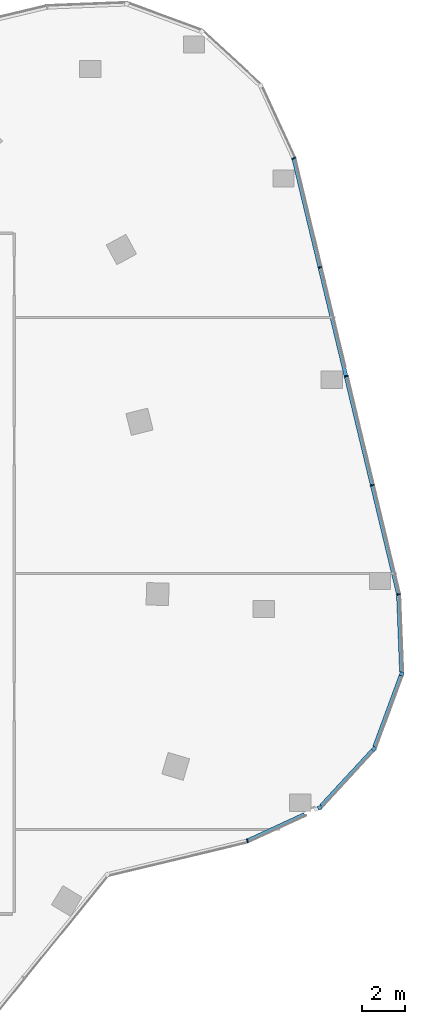
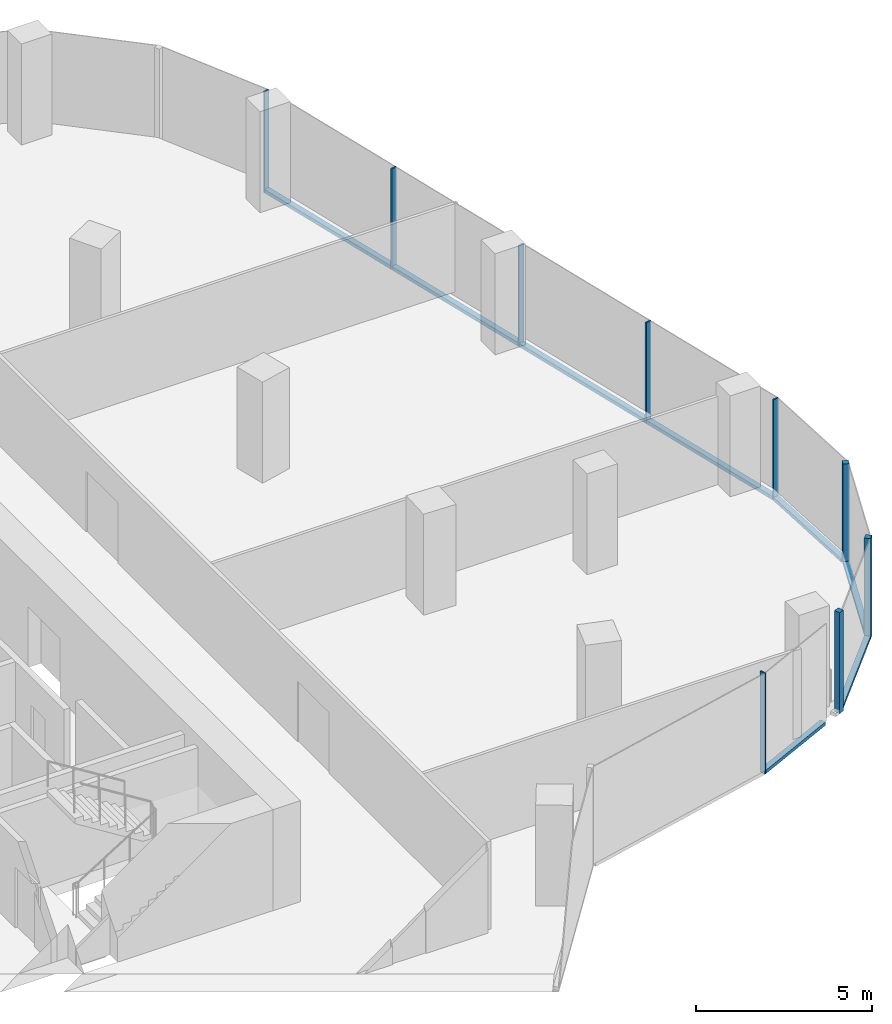
# One storey, part 9 of 23: 14 members, 6 elements without a shape of their own.
"""IFC4 building model written with IfcOpenShell, lengths in metres."""

import ifcopenshell
import ifcopenshell.guid

model = None  # the IFC model being written
_history = None  # IfcOwnerHistory: only IFC2X3 demands one
_inside = {}  # id of a spatial element -> (the spatial element, [elements in it])
_under = {}  # id of a project, library or spatial element -> (it, [spatial elements below it])
_declared = {}  # id of a project -> (the project, [libraries it declares])
_typed = {}  # id of a type object -> (the type object, [elements of that type])
_made_of = {}  # id of a material, layer set ... -> (it, [elements and type objects made of it])


def new_model(schema):
    """Start an empty IFC model of exactly this schema.

    Asked for "IFC4X3", IfcOpenShell would pick the latest addendum, in which some entities
    have other attributes; the version numbers below select the first issue.
    IFC2X3 requires an IfcOwnerHistory on every rooted entity: one is made here for all.
    """
    global model, _history
    if schema == "IFC4X3":
        model = ifcopenshell.file(schema_version=(4, 3, 0, 0))
    else:
        model = ifcopenshell.file(schema=schema)
    _inside.clear()
    _under.clear()
    _declared.clear()
    _typed.clear()
    _made_of.clear()
    _history = None
    if model.schema == "IFC2X3":
        org = make("IfcOrganization", Name="unknown")
        user = make(
            "IfcPersonAndOrganization",
            ThePerson=make("IfcPerson", FamilyName="unknown"),
            TheOrganization=org,
        )
        app = make(
            "IfcApplication",
            ApplicationDeveloper=org,
            Version="unknown",
            ApplicationFullName="unknown",
            ApplicationIdentifier="unknown",
        )
        _history = make(
            "IfcOwnerHistory",
            OwningUser=user,
            OwningApplication=app,
            ChangeAction="ADDED",
            CreationDate=0,
        )
    return model


def make(cls, **values):
    """One entity of the class cls with the attributes given. An attribute that is None is left unset."""
    return model.create_entity(
        cls, **{name: value for name, value in values.items() if value is not None}
    )


def rooted(cls, **values):
    """An entity with a GlobalId (a new one), such as an element, a storey or a relation."""
    return make(cls, GlobalId=ifcopenshell.guid.new(), OwnerHistory=_history, **values)


def si_unit(unit_type, name, prefix=None):
    """IfcSIUnit, for example si_unit("LENGTHUNIT", "METRE", prefix="MILLI")."""
    return make("IfcSIUnit", UnitType=unit_type, Prefix=prefix, Name=name)


def assignment(units):
    """IfcUnitAssignment: the units of a project."""
    return None if units is None else make("IfcUnitAssignment", Units=units)


def point(xyz):
    """IfcCartesianPoint."""
    return None if xyz is None else make("IfcCartesianPoint", Coordinates=xyz)


def direction(xyz):
    """IfcDirection."""
    return None if xyz is None else make("IfcDirection", DirectionRatios=xyz)


def frame(location, z_axis=None, x_axis=None):
    """IfcAxis2Placement3D, a coordinate frame: its origin and axes. An axis left out is left unset."""
    return make(
        "IfcAxis2Placement3D",
        Location=point(location),
        Axis=direction(z_axis),
        RefDirection=direction(x_axis),
    )


def frame_2d(location, x_axis=None):
    """IfcAxis2Placement2D, a coordinate frame in the plane: its origin and x axis."""
    return make(
        "IfcAxis2Placement2D", Location=point(location), RefDirection=direction(x_axis)
    )


def origin():
    """The frame at (0, 0, 0) with its axes left unset."""
    return frame((0.0, 0.0, 0.0))


def origin_2d():
    """The frame at (0, 0) in the plane with its x axis left unset."""
    return frame_2d((0.0, 0.0))


def place(relative_to, where):
    """IfcLocalPlacement: puts the frame where relative to a parent placement (None: the world)."""
    return make(
        "IfcLocalPlacement", PlacementRelTo=relative_to, RelativePlacement=where
    )


def context(
    kind, dimensions, precision=None, world=None, true_north=None, identifier=None
):
    """IfcGeometricRepresentationContext, for example the 3D "Model" context."""
    return make(
        "IfcGeometricRepresentationContext",
        ContextIdentifier=identifier,
        ContextType=kind,
        CoordinateSpaceDimension=dimensions,
        Precision=precision,
        WorldCoordinateSystem=world,
        TrueNorth=true_north,
    )


def subcontext(parent, identifier, kind, view, scale=None):
    """IfcGeometricRepresentationSubContext, for example "Body" below "Model"."""
    return make(
        "IfcGeometricRepresentationSubContext",
        ContextIdentifier=identifier,
        ContextType=kind,
        ParentContext=parent,
        TargetScale=scale,
        TargetView=view,
    )


def project(units=None, contexts=None):
    """IfcProject with its units and contexts."""
    return rooted(
        "IfcProject",
        Name="project",
        RepresentationContexts=contexts,
        UnitsInContext=assignment(units),
    )


def spatial(cls, under=None, at=None, **own):
    """A site, building, storey or space (cls), placed at a placement, below another one or the project."""
    s = rooted(cls, ObjectPlacement=at, **own)
    if under is not None:
        _under.setdefault(under.id(), (under, []))[1].append(s)
    return s


def profile(cls, at=None, kind="AREA", **sizes):
    """A parametric profile (cls). Its sizes go by their IFC names, for example OverallWidth=200.0."""
    return make(cls, ProfileType=kind, Position=at, **sizes)


def rectangle(**sizes):
    """IfcRectangleProfileDef."""
    return profile("IfcRectangleProfileDef", **sizes)


def extrude(swept, where, along, depth):
    """IfcExtrudedAreaSolid: the profile swept, set in the frame where, extruded along a direction by depth."""
    return make(
        "IfcExtrudedAreaSolid",
        SweptArea=swept,
        Position=where,
        ExtrudedDirection=direction(along),
        Depth=depth,
    )


def shape(context_of_items, identifier, shape_type, items):
    """IfcShapeRepresentation: the items that make up one representation, for example the "Body"."""
    return make(
        "IfcShapeRepresentation",
        ContextOfItems=context_of_items,
        RepresentationIdentifier=identifier,
        RepresentationType=shape_type,
        Items=items,
    )


def material(Name=None, Category=None):
    """IfcMaterial."""
    return make("IfcMaterial", Name=Name, Category=Category)


def material_profile(
    of_material, cross_section, Name=None, Category=None, Priority=None
):
    """IfcMaterialProfile: a cross section and its material."""
    return make(
        "IfcMaterialProfile",
        Name=Name,
        Material=of_material,
        Profile=cross_section,
        Priority=Priority,
        Category=Category,
    )


def profile_set(profiles, Name=None, composite=None):
    """IfcMaterialProfileSet."""
    return make(
        "IfcMaterialProfileSet",
        Name=Name,
        MaterialProfiles=profiles,
        CompositeProfile=composite,
    )


def made_of(thing, what):
    """Note that an element or type object is made of a material, layer set ...; save() writes the relation."""
    if what is not None:
        _made_of.setdefault(what.id(), (what, []))[1].append(thing)
    return thing


def type_object(cls, material=None, **own):
    """A type object (cls), such as IfcWallType, which elements share."""
    return made_of(rooted(cls, **own), material)


def element(
    cls,
    number,
    at=None,
    inside=None,
    cuts=None,
    type_object=None,
    material=None,
    context=None,
    identifier="Body",
    shape_type=None,
    held_by="IfcProductDefinitionShape",
    body=None,
    shapes=None,
    **own,
):
    """One element of the class cls, such as IfcWall. Its Tag is "e" and its number.

    at: its placement. inside: the storey or other place that contains it. cuts: it is an
    opening in that element (IfcRelVoidsElement). A single representation is given by context,
    identifier, shape_type and body (its items); several are given by shapes. held_by: the class
    of the entity that holds the representations. save() writes the other relations.
    """
    e = rooted(cls, Tag="e%d" % number, ObjectPlacement=at, **own)
    if body is not None:
        shapes = [shape(context, identifier, shape_type, body)]
    if shapes is not None:
        e.Representation = make(held_by, Representations=shapes)
    if inside is not None:
        _inside.setdefault(inside.id(), (inside, []))[1].append(e)
    if cuts is not None:
        rooted(
            "IfcRelVoidsElement", RelatingBuildingElement=cuts, RelatedOpeningElement=e
        )
    if type_object is not None:
        _typed.setdefault(type_object.id(), (type_object, []))[1].append(e)
    return made_of(e, material)


def aggregate(whole, parts):
    """IfcRelAggregates: a whole, such as a stair, and the parts it consists of."""
    return rooted("IfcRelAggregates", RelatingObject=whole, RelatedObjects=parts)


def save(model, path):
    """Write the relations noted so far, then the file.

    IfcRelAggregates (storeys below a building ...), IfcRelContainedInSpatialStructure (elements
    in a storey), IfcRelDefinesByType, IfcRelAssociatesMaterial and IfcRelDeclares: one each for
    every whole, place, type object, material and project.
    """
    for whole, parts in _under.values():
        aggregate(whole, parts)
    for where, things in _inside.values():
        rooted(
            "IfcRelContainedInSpatialStructure",
            RelatedElements=things,
            RelatingStructure=where,
        )
    for kind, things in _typed.values():
        rooted("IfcRelDefinesByType", RelatedObjects=things, RelatingType=kind)
    for what, things in _made_of.values():
        rooted("IfcRelAssociatesMaterial", RelatedObjects=things, RelatingMaterial=what)
    for by, libraries in _declared.values():
        rooted("IfcRelDeclares", RelatingContext=by, RelatedDefinitions=libraries)
    model.write(path)


model = new_model("IFC4")

# Units and contexts
model_context = context("Model", 3, precision=1e-05, world=origin(), true_north=direction((0.0, 1.0)))
body_context = subcontext(model_context, "Body", "Model", "MODEL_VIEW")
ifc_project = project(units=[si_unit("LENGTHUNIT", "METRE"), si_unit("AREAUNIT", "SQUARE_METRE"), si_unit("VOLUMEUNIT", "CUBIC_METRE"), si_unit("PLANEANGLEUNIT", "RADIAN"), si_unit("MASSUNIT", "GRAM", prefix="KILO")], contexts=[model_context])

# Site, building, storey
site_placement = place(None, origin())
site = spatial("IfcSite", under=ifc_project, at=site_placement, CompositionType="ELEMENT")
building_placement = place(site_placement, origin())
building = spatial("IfcBuilding", under=site, at=building_placement, Name="Orlundy Tower", CompositionType="ELEMENT")
storey_placement = place(building_placement, frame((0.0, 0.0, 221.0)))
storey = spatial("IfcBuildingStorey", under=building, at=storey_placement, Name="L58", CompositionType="ELEMENT", Elevation=221.0)

# Curtain wall, member
ifc_material_1 = material(Name="Aluminium bronze anodised", Category="aluminium")
curtain_wall_type = type_object("IfcCurtainWallType", Name="CW1 wall", PredefinedType="NOTDEFINED", material=ifc_material_1)
curtain_wall_1_placement = place(storey_placement, origin())
curtain_wall_1 = element("IfcCurtainWall", 1, at=curtain_wall_1_placement, inside=storey, type_object=curtain_wall_type, Name="CW1 run 013", PredefinedType="NOTDEFINED")
ifc_material_2 = material(Name="Aluminium bronze anodised", Category="aluminium")
ifc_material_profile_1 = material_profile(ifc_material_2, rectangle(XDim=0.179931640625, YDim=0.179931640625, at=origin_2d()), Name="CW1 corner post 180x180")
ifc_profile_set_1 = profile_set([ifc_material_profile_1], Name="Aluminium bronze anodised")
member_type_1 = type_object("IfcMemberType", Name="CW1 corner post 180x180", PredefinedType="MULLION", material=ifc_profile_set_1)
member_1_placement = place(storey_placement, frame((41.095703125, -4.707275390625, -0.419921875), z_axis=(0.0, 0.0, 1.0), x_axis=(0.938167941859, -0.346180462863, 0.0)))
member_1 = element("IfcMember", 2, at=member_1_placement, type_object=member_type_1, Name="CW1 mullion 33", PredefinedType="MULLION", context=body_context, shape_type="SweptSolid", body=[
    extrude(rectangle(XDim=0.179931640625, YDim=0.179931640625, at=origin_2d()), origin(), (0.0, 0.0, 1.0), 3.5),
])

curtain_wall_2_placement = place(storey_placement, origin())
curtain_wall_2 = element("IfcCurtainWall", 3, at=curtain_wall_2_placement, inside=storey, type_object=curtain_wall_type, Name="CW1 run 014", PredefinedType="NOTDEFINED")
member_2_placement = place(storey_placement, frame((39.80029296875, -8.218017578125, -0.419921875), z_axis=(0.0, 0.0, 1.0), x_axis=(0.734348182738, -0.678772971258, 0.0)))
member_2 = element("IfcMember", 4, at=member_2_placement, type_object=member_type_1, Name="CW1 mullion 34", PredefinedType="MULLION", context=body_context, shape_type="SweptSolid", body=[
    extrude(rectangle(XDim=0.179931640625, YDim=0.179931640625, at=origin_2d()), origin(), (0.0, 0.0, 1.0), 3.5),
])

curtain_wall_3_placement = place(storey_placement, origin())
curtain_wall_3 = element("IfcCurtainWall", 5, at=curtain_wall_3_placement, inside=storey, type_object=curtain_wall_type, Name="CW1 run 015", PredefinedType="NOTDEFINED")
member_3_placement = place(storey_placement, frame((37.260009765625, -10.96630859375, -0.419921875), z_axis=(0.0, 0.0, 1.0), x_axis=(0.418715973467, -0.908117246595, 0.0)))
member_3 = element("IfcMember", 6, at=member_3_placement, type_object=member_type_1, Name="CW1 mullion 35", PredefinedType="MULLION", context=body_context, shape_type="SweptSolid", body=[
    extrude(rectangle(XDim=0.179931640625, YDim=0.179931640625, at=origin_2d()), origin(), (0.0, 0.0, 1.0), 3.5),
])

# Curtain wall, members
curtain_wall_4_placement = place(storey_placement, origin())
curtain_wall_4 = element("IfcCurtainWall", 7, at=curtain_wall_4_placement, inside=storey, type_object=curtain_wall_type, Name="CW1 run 011", PredefinedType="NOTDEFINED")
ifc_material_3 = material(Name="Aluminium bronze anodised", Category="aluminium")
ifc_material_profile_2 = material_profile(ifc_material_3, rectangle(XDim=0.179931640625, YDim=0.050048828125, at=origin_2d()), Name="CW1 mullion 50x180")
ifc_profile_set_2 = profile_set([ifc_material_profile_2], Name="Aluminium bronze anodised")
member_type_2 = type_object("IfcMemberType", Name="CW1 mullion 50x180", PredefinedType="MULLION", material=ifc_profile_set_2)
member_4_placement = place(storey_placement, frame((36.04248046875, 19.460693359375, -0.419921875), z_axis=(0.0, 0.0, 1.0), x_axis=(0.944831550554, 0.327556622704, 0.0)))
member_4 = element("IfcMember", 8, at=member_4_placement, type_object=member_type_2, Name="CW1 mullion 28", PredefinedType="MULLION", context=body_context, shape_type="SweptSolid", body=[
    extrude(rectangle(XDim=0.179931640625, YDim=0.050048828125, at=origin_2d()), origin(), (0.0, 0.0, 1.0), 3.5),
])
member_5_placement = place(storey_placement, frame((37.270263671875, 14.346923828125, -0.419921875), z_axis=(0.0, 0.0, 1.0), x_axis=(0.972363523859, 0.233472005748, 0.0)))
member_5 = element("IfcMember", 9, at=member_5_placement, type_object=member_type_2, Name="CW1 mullion 29", PredefinedType="MULLION", context=body_context, shape_type="SweptSolid", body=[
    extrude(rectangle(XDim=0.179931640625, YDim=0.050048828125, at=origin_2d()), origin(), (0.0, 0.0, 1.0), 3.5),
])
member_6_placement = place(storey_placement, frame((38.49609375, 9.241943359375, -0.419921875), z_axis=(0.0, 0.0, 1.0), x_axis=(0.972363523859, 0.233472005748, 0.0)))
member_6 = element("IfcMember", 10, at=member_6_placement, type_object=member_type_2, Name="CW1 mullion 30", PredefinedType="MULLION", context=body_context, shape_type="SweptSolid", body=[
    extrude(rectangle(XDim=0.179931640625, YDim=0.050048828125, at=origin_2d()), origin(), (0.0, 0.0, 1.0), 3.5),
])
member_7_placement = place(storey_placement, frame((39.7216796875, 4.136962890625, -0.419921875), z_axis=(0.0, 0.0, 1.0), x_axis=(0.972363523859, 0.233472005748, 0.0)))
member_7 = element("IfcMember", 11, at=member_7_placement, type_object=member_type_2, Name="CW1 mullion 31", PredefinedType="MULLION", context=body_context, shape_type="SweptSolid", body=[
    extrude(rectangle(XDim=0.179931640625, YDim=0.050048828125, at=origin_2d()), origin(), (0.0, 0.0, 1.0), 3.5),
])

# Curtain wall, member
curtain_wall_5_placement = place(storey_placement, origin())
curtain_wall_5 = element("IfcCurtainWall", 12, at=curtain_wall_5_placement, inside=storey, type_object=curtain_wall_type, Name="CW1 run 012", PredefinedType="NOTDEFINED")
member_8_placement = place(storey_placement, frame((40.949462890625, -0.9765625, -0.419921875), z_axis=(0.0, 0.0, 1.0), x_axis=(0.990577259455, 0.136955076761, 0.0)))
member_8 = element("IfcMember", 13, at=member_8_placement, type_object=member_type_2, Name="CW1 mullion 32", PredefinedType="MULLION", context=body_context, shape_type="SweptSolid", body=[
    extrude(rectangle(XDim=0.179931640625, YDim=0.050048828125, at=origin_2d()), origin(), (0.0, 0.0, 1.0), 3.5),
])

curtain_wall_6_placement = place(storey_placement, origin())
curtain_wall_6 = element("IfcCurtainWall", 14, at=curtain_wall_6_placement, inside=storey, type_object=curtain_wall_type, Name="CW1 run 016", PredefinedType="NOTDEFINED")
member_9_placement = place(storey_placement, frame((33.86962890625, -12.529541015625, -0.419921875), z_axis=(0.0, 0.0, 1.0), x_axis=(0.327673002803, -0.944791195574, 0.0)))
member_9 = element("IfcMember", 15, at=member_9_placement, type_object=member_type_2, Name="CW1 mullion 36", PredefinedType="MULLION", context=body_context, shape_type="SweptSolid", body=[
    extrude(rectangle(XDim=0.179931640625, YDim=0.050048828125, at=origin_2d()), origin(), (0.0, 0.0, 1.0), 3.5),
])
aggregate(curtain_wall_6, [member_9])

# Member
ifc_material_4 = material(Name="Aluminium bronze anodised", Category="aluminium")
ifc_material_profile_3 = material_profile(ifc_material_4, rectangle(XDim=0.179931640625, YDim=0.1201171875, at=origin_2d()), Name="CW1 transom 180x120")
ifc_profile_set_3 = profile_set([ifc_material_profile_3], Name="Aluminium bronze anodised")
member_type_3 = type_object("IfcMemberType", Name="CW1 transom 180x120", PredefinedType="USERDEFINED", material=ifc_profile_set_3)
member_10_placement = place(storey_placement, frame((36.04833984375, 19.436279296875, -0.360107421875), z_axis=(0.233464990148, -0.972365208332, 0.0), x_axis=(0.972365208332, 0.233464990148, 0.0)))
member_10 = element("IfcMember", 16, at=member_10_placement, type_object=member_type_3, Name="CW1 transom", ObjectType="TRANSOM", PredefinedType="USERDEFINED", context=body_context, shape_type="SweptSolid", body=[
    extrude(rectangle(XDim=0.179931640625, YDim=0.1201171875, at=origin_2d()), origin(), (0.0, 0.0, 1.0), 20.9677734375),
])

aggregate(curtain_wall_4, [member_4, member_5, member_6, member_7, member_10])

member_11_placement = place(storey_placement, frame((40.95068359375, -1.001708984375, -0.360107421875), z_axis=(0.03907703141, -0.999236201114, 0.0), x_axis=(0.999236201114, 0.03907703141, 0.0)))
member_11 = element("IfcMember", 17, at=member_11_placement, type_object=member_type_3, Name="CW1 transom", ObjectType="TRANSOM", PredefinedType="USERDEFINED", context=body_context, shape_type="SweptSolid", body=[
    extrude(rectangle(XDim=0.179931640625, YDim=0.1201171875, at=origin_2d()), origin(), (0.0, 0.0, 1.0), 3.611083984375),
])

aggregate(curtain_wall_5, [member_8, member_11])

member_12_placement = place(storey_placement, frame((41.064453125, -4.791748046875, -0.360107421875), z_axis=(-0.346173212569, -0.938170617159, 0.0), x_axis=(0.938170617159, -0.346173212569, 0.0)))
member_12 = element("IfcMember", 18, at=member_12_placement, type_object=member_type_3, Name="CW1 transom", ObjectType="TRANSOM", PredefinedType="USERDEFINED", context=body_context, shape_type="SweptSolid", body=[
    extrude(rectangle(XDim=0.179931640625, YDim=0.1201171875, at=origin_2d()), origin(), (0.0, 0.0, 1.0), 3.554443359375),
])

aggregate(curtain_wall_1, [member_1, member_12])

member_13_placement = place(storey_placement, frame((39.7392578125, -8.283935546875, -0.360107421875), z_axis=(-0.678747720383, -0.73437152183, 0.0), x_axis=(0.73437152183, -0.678747720383, 0.0)))
member_13 = element("IfcMember", 19, at=member_13_placement, type_object=member_type_3, Name="CW1 transom", ObjectType="TRANSOM", PredefinedType="USERDEFINED", context=body_context, shape_type="SweptSolid", body=[
    extrude(rectangle(XDim=0.179931640625, YDim=0.1201171875, at=origin_2d()), origin(), (0.0, 0.0, 1.0), 3.55517578125),
])

aggregate(curtain_wall_2, [member_2, member_13])

member_14_placement = place(storey_placement, frame((36.549072265625, -11.2939453125, -0.360107421875), z_axis=(-0.908100993788, -0.418751220991, 0.0), x_axis=(0.418751220991, -0.908100993788, 0.0)))
member_14 = element("IfcMember", 20, at=member_14_placement, type_object=member_type_3, Name="CW1 transom", ObjectType="TRANSOM", PredefinedType="USERDEFINED", context=body_context, shape_type="SweptSolid", body=[
    extrude(rectangle(XDim=0.179931640625, YDim=0.1201171875, at=origin_2d()), origin(), (0.0, 0.0, 1.0), 2.925537109375),
])

aggregate(curtain_wall_3, [member_3, member_14])

save(model, "model.ifc")
